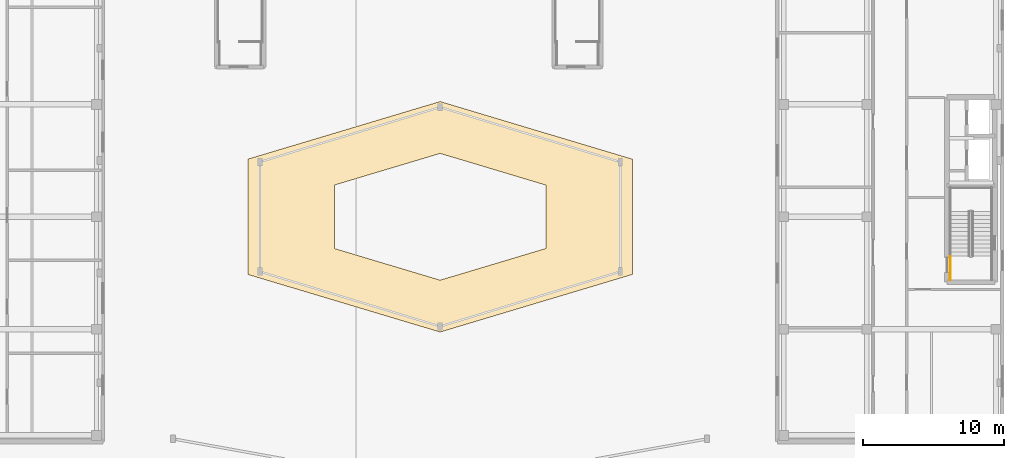
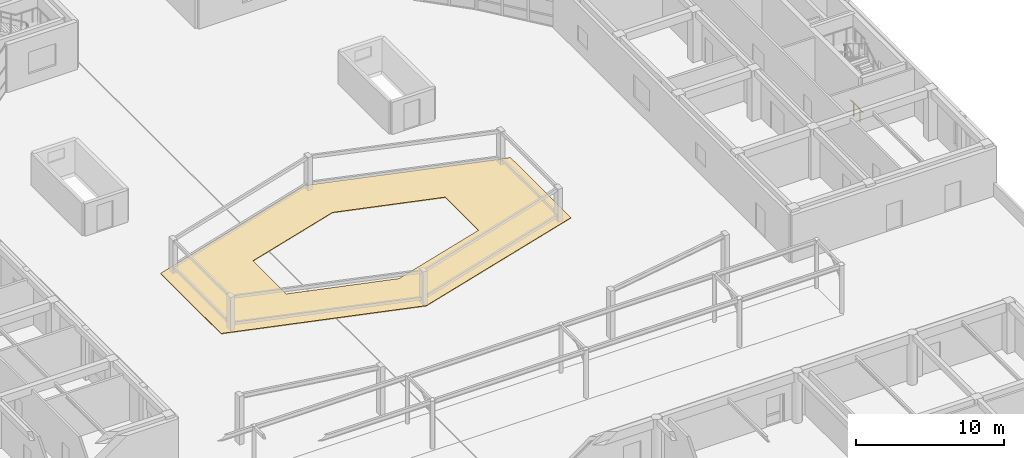
# One storey, part 108 of 114: 1 covering, 1 railing.
"""IFC4 building model written with IfcOpenShell, lengths in metres."""

from ifc_helpers import new_model, si_unit, direction, frame, origin, origin_2d, place, context, subcontext, project, spatial, polyline, circle, outline, extrude, material, layer, layer_set, type_object, element, save


model = new_model("IFC4")

# Units and contexts
model_context = context("Model", 3, precision=1e-05, world=origin(), true_north=direction((0.0, 1.0)))
body_context = subcontext(model_context, "Body", "Model", "MODEL_VIEW")
ifc_project = project(units=[si_unit("LENGTHUNIT", "METRE"), si_unit("AREAUNIT", "SQUARE_METRE"), si_unit("VOLUMEUNIT", "CUBIC_METRE"), si_unit("PLANEANGLEUNIT", "RADIAN"), si_unit("MASSUNIT", "GRAM", prefix="KILO")], contexts=[model_context])

# Site, building, storey
site_placement = place(None, origin())
site = spatial("IfcSite", under=ifc_project, at=site_placement, CompositionType="ELEMENT")
building_placement = place(site_placement, origin())
building = spatial("IfcBuilding", under=site, at=building_placement, Name="Keldmere Railside Commons", CompositionType="ELEMENT")
storey_placement = place(building_placement, origin())
storey = spatial("IfcBuildingStorey", under=building, at=storey_placement, Name="L00", CompositionType="ELEMENT", Elevation=0.0)

# Railing
ifc_material_1 = material(Name="Steel F-24 (S235)", Category="steel")
railing_type = type_object("IfcRailingType", Name="Stair Well Steel Guardrail 1100", PredefinedType="BALUSTRADE", material=ifc_material_1)
railing_placement = place(storey_placement, frame((180.300048828125, 67.5, 0.0)))
element("IfcRailing", 1, at=railing_placement, inside=storey, type_object=railing_type, Name="L00 ST-A1 stair guard 9", PredefinedType="BALUSTRADE", context=body_context, shape_type="SweptSolid", body=[
    extrude(circle(Radius=0.02392578125, at=origin_2d()), frame((0.0, 0.0, 1.076171875), z_axis=(0.0, 1.0, 0.0), x_axis=(-1.0, 0.0, 0.0)), (0.0, 0.0, 1.0), 1.699951171875),
    extrude(circle(Radius=0.02099609375, at=origin_2d()), frame((0.0, 0.425048828125, 0.0)), (0.0, 0.0, 1.0), 1.048095703125),
    extrude(circle(Radius=0.02099609375, at=origin_2d()), frame((0.0, 1.27490234375, 0.0)), (0.0, 0.0, 1.0), 1.048095703125),
])

# Covering
ifc_material_2 = material(Name="White Precast Concrete C35/45", Category="concrete")
ifc_layer = layer(ifc_material_2, 0.044921875, Name="White Architectural Balcony Ribbon Cladding 45")
ifc_layer_set = layer_set([ifc_layer], Name="White Precast Concrete C35/45")
covering_type = type_object("IfcCoveringType", Name="White Architectural Balcony Ribbon Cladding 45", PredefinedType="FLOORING", material=ifc_layer_set)
covering_placement = place(storey_placement, origin())
element("IfcCovering", 2, at=covering_placement, inside=storey, type_object=covering_type, Name="CLG-WB Hexagonal Court Garden Walk 3", PredefinedType="FLOORING", context=body_context, shape_type="SweptSolid", body=[
    extrude(outline(polyline([(157.68310546875, 76.10009765625), (144.0, 80.199951171875), (130.31689453125, 76.10009765625), (130.31689453125, 67.89990234375), (144.0, 63.800048828125), (157.68310546875, 67.89990234375), (157.68310546875, 76.10009765625)]), holes=[polyline([(151.52587890625, 74.2548828125), (151.52587890625, 69.7451171875), (144.0, 67.489990234375), (136.47412109375, 69.7451171875), (136.47412109375, 74.2548828125), (144.0, 76.510009765625), (151.52587890625, 74.2548828125)])]), origin(), (0.0, 0.0, 1.0), 0.044921875),
])

save(model, "model.ifc")
